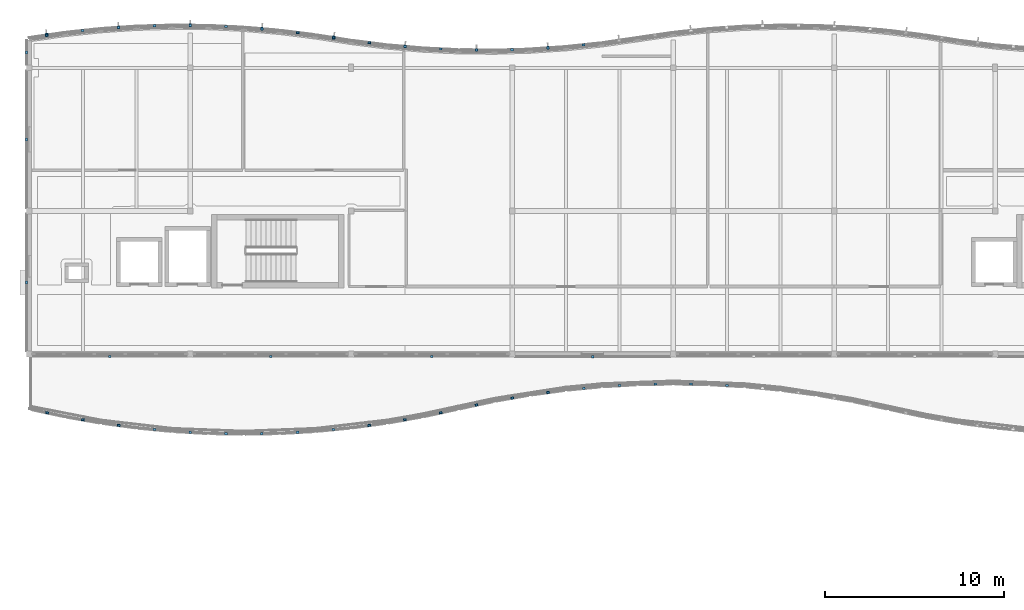
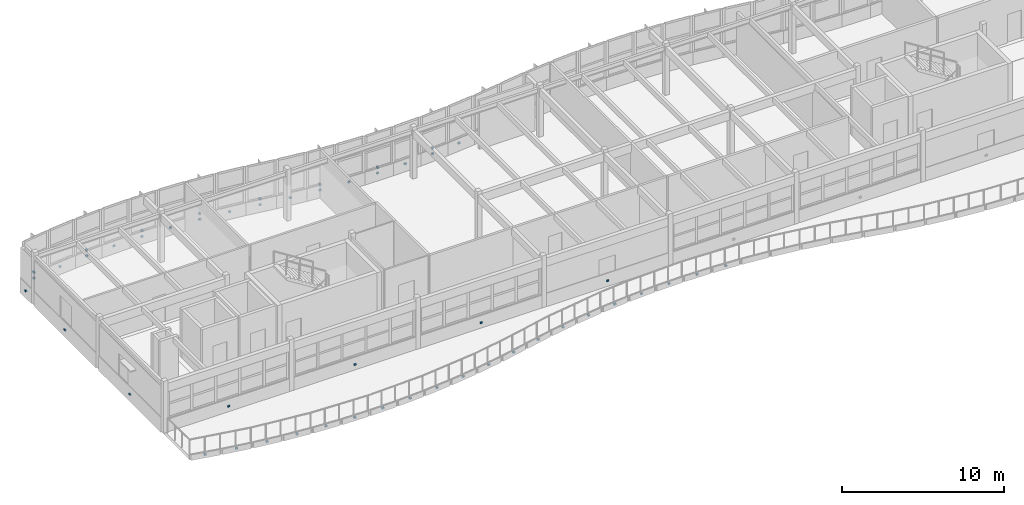
# One storey, part 24 of 33: 51 discrete accessories.
"""IFC4 building model written with IfcOpenShell, lengths in metres."""

from ifc_helpers import new_model, si_unit, direction, frame, origin, origin_2d, place, context, subcontext, project, spatial, rectangle, extrude, material, type_object, element, save


model = new_model("IFC4")

# Units and contexts
model_context = context("Model", 3, precision=1e-05, world=origin(), true_north=direction((0.0, 1.0)))
body_context = subcontext(model_context, "Body", "Model", "MODEL_VIEW")
ifc_project = project(units=[si_unit("LENGTHUNIT", "METRE"), si_unit("AREAUNIT", "SQUARE_METRE"), si_unit("VOLUMEUNIT", "CUBIC_METRE"), si_unit("PLANEANGLEUNIT", "RADIAN"), si_unit("MASSUNIT", "GRAM", prefix="KILO")], contexts=[model_context])

# Site, building, storey
site_placement = place(None, origin())
site = spatial("IfcSite", under=ifc_project, at=site_placement, CompositionType="ELEMENT")
building_placement = place(site_placement, origin())
building = spatial("IfcBuilding", under=site, at=building_placement, Name="Tonlespit Floodbar School", CompositionType="ELEMENT")
storey_placement = place(building_placement, frame((0.0, 0.0, 16.199951171875)))
storey = spatial("IfcBuildingStorey", under=building, at=storey_placement, Name="L04", CompositionType="ELEMENT", Elevation=16.199951171875)

# Discrete accessories
ifc_material = material(Name="Galvanised Steel", Category="steel")
discrete_accessory_type = type_object("IfcDiscreteAccessoryType", Name="Bracket_Facade_S355", PredefinedType="BRACKET", material=ifc_material)
discrete_accessory_1_placement = place(storey_placement, frame((44.981201171875, 121.824462890625, 0.35498046875), z_axis=(0.0, 0.0, 1.0), x_axis=(0.989537627347, 0.144275029245, 0.0)))
element("IfcDiscreteAccessory", 1, at=discrete_accessory_1_placement, inside=storey, type_object=discrete_accessory_type, Name="L04 white band support bracket 0297", PredefinedType="BRACKET", context=body_context, shape_type="SweptSolid", body=[
    extrude(rectangle(XDim=0.159912109375, YDim=0.1201171875, at=origin_2d()), origin(), (0.0, 0.0, 1.0), 0.1201171875),
])
discrete_accessory_2_placement = place(storey_placement, frame((44.979736328125, 121.834228515625, 0.7802734375), z_axis=(0.0, 0.0, 1.0), x_axis=(0.989537627347, 0.144275029245, 0.0)))
element("IfcDiscreteAccessory", 2, at=discrete_accessory_2_placement, inside=storey, type_object=discrete_accessory_type, Name="Solar fin support bracket 074", PredefinedType="BRACKET", context=body_context, shape_type="SweptSolid", body=[
    extrude(rectangle(XDim=0.1201171875, YDim=0.179931640625, at=origin_2d()), origin(), (0.0, 0.0, 1.0), 0.139892578125),
])
for number, where, z_axis, x_axis, name in (
    (3, (46.986328125, 122.0771484375, 0.35498046875), (0.0, 0.0, 1.0), (0.99439234017, 0.105753835922, 0.0), "L04 white band support bracket 0298"),
    (4, (48.9912109375, 122.25146484375, 0.35498046875), (0.0, 0.0, 1.0), (0.997729639049, 0.067346621018, 0.0), "L04 white band support bracket 0299"),
):
    element("IfcDiscreteAccessory", number, at=place(storey_placement, frame(where, z_axis=z_axis, x_axis=x_axis)), inside=storey, type_object=discrete_accessory_type, Name=name, PredefinedType="BRACKET", context=body_context, shape_type="SweptSolid", body=[
        extrude(rectangle(XDim=0.159912109375, YDim=0.1201171875, at=origin_2d()), origin(), (0.0, 0.0, 1.0), 0.1201171875),
    ])
discrete_accessory_3_placement = place(storey_placement, frame((48.990478515625, 122.261474609375, 0.7802734375), z_axis=(0.0, 0.0, 1.0), x_axis=(0.997729639049, 0.067346621018, 0.0)))
element("IfcDiscreteAccessory", 5, at=discrete_accessory_3_placement, inside=storey, type_object=discrete_accessory_type, Name="Solar fin support bracket 075", PredefinedType="BRACKET", context=body_context, shape_type="SweptSolid", body=[
    extrude(rectangle(XDim=0.1201171875, YDim=0.179931640625, at=origin_2d()), origin(), (0.0, 0.0, 1.0), 0.139892578125),
])
for number, where, z_axis, x_axis, name in (
    (6, (50.996337890625, 122.34814453125, 0.35498046875), (0.0, 0.0, 1.0), (0.999584110869, 0.02883756748, 0.0), "L04 white band support bracket 0300"),
    (7, (53.001220703125, 122.367431640625, 0.35498046875), (0.0, 0.0, 1.0), (0.999953926969, -0.009599163462, 0.0), "L04 white band support bracket 0301"),
):
    element("IfcDiscreteAccessory", number, at=place(storey_placement, frame(where, z_axis=z_axis, x_axis=x_axis)), inside=storey, type_object=discrete_accessory_type, Name=name, PredefinedType="BRACKET", context=body_context, shape_type="SweptSolid", body=[
        extrude(rectangle(XDim=0.159912109375, YDim=0.1201171875, at=origin_2d()), origin(), (0.0, 0.0, 1.0), 0.1201171875),
    ])
discrete_accessory_4_placement = place(storey_placement, frame((53.001220703125, 122.37744140625, 0.7802734375), z_axis=(0.0, 0.0, 1.0), x_axis=(0.999953926969, -0.009599163462, 0.0)))
element("IfcDiscreteAccessory", 8, at=discrete_accessory_4_placement, inside=storey, type_object=discrete_accessory_type, Name="Solar fin support bracket 076", PredefinedType="BRACKET", context=body_context, shape_type="SweptSolid", body=[
    extrude(rectangle(XDim=0.1201171875, YDim=0.179931640625, at=origin_2d()), origin(), (0.0, 0.0, 1.0), 0.139892578125),
])
for number, where, z_axis, x_axis, name in (
    (9, (55.00634765625, 122.3095703125, 0.35498046875), (0.0, 0.0, 1.0), (0.998842769234, -0.048094930587, 0.0), "L04 white band support bracket 0302"),
    (10, (57.01123046875, 122.174072265625, 0.35498046875), (0.0, 0.0, 1.0), (0.996245486492, -0.086573267488, 0.0), "L04 white band support bracket 0303"),
):
    element("IfcDiscreteAccessory", number, at=place(storey_placement, frame(where, z_axis=z_axis, x_axis=x_axis)), inside=storey, type_object=discrete_accessory_type, Name=name, PredefinedType="BRACKET", context=body_context, shape_type="SweptSolid", body=[
        extrude(rectangle(XDim=0.159912109375, YDim=0.1201171875, at=origin_2d()), origin(), (0.0, 0.0, 1.0), 0.1201171875),
    ])
discrete_accessory_5_placement = place(storey_placement, frame((57.01220703125, 122.18408203125, 0.7802734375), z_axis=(0.0, 0.0, 1.0), x_axis=(0.996245486492, -0.086573267488, 0.0)))
element("IfcDiscreteAccessory", 11, at=discrete_accessory_5_placement, inside=storey, type_object=discrete_accessory_type, Name="Solar fin support bracket 077", PredefinedType="BRACKET", context=body_context, shape_type="SweptSolid", body=[
    extrude(rectangle(XDim=0.1201171875, YDim=0.179931640625, at=origin_2d()), origin(), (0.0, 0.0, 1.0), 0.139892578125),
])
for number, where, z_axis, x_axis, name in (
    (12, (59.016357421875, 121.960693359375, 0.35498046875), (0.0, 0.0, 1.0), (0.99215533612, -0.125011155539, 0.0), "L04 white band support bracket 0304"),
    (13, (61.02001953125, 121.678466796875, 0.35498046875), (0.0, 0.0, 1.0), (0.988094768361, -0.153846445322, 0.0), "L04 white band support bracket 0305"),
):
    element("IfcDiscreteAccessory", number, at=place(storey_placement, frame(where, z_axis=z_axis, x_axis=x_axis)), inside=storey, type_object=discrete_accessory_type, Name=name, PredefinedType="BRACKET", context=body_context, shape_type="SweptSolid", body=[
        extrude(rectangle(XDim=0.159912109375, YDim=0.1201171875, at=origin_2d()), origin(), (0.0, 0.0, 1.0), 0.1201171875),
    ])
discrete_accessory_6_placement = place(storey_placement, frame((61.021484375, 121.688232421875, 0.7802734375), z_axis=(0.0, 0.0, 1.0), x_axis=(0.988094768361, -0.153846445322, 0.0)))
element("IfcDiscreteAccessory", 14, at=discrete_accessory_6_placement, inside=storey, type_object=discrete_accessory_type, Name="Solar fin support bracket 078", PredefinedType="BRACKET", context=body_context, shape_type="SweptSolid", body=[
    extrude(rectangle(XDim=0.1201171875, YDim=0.179931640625, at=origin_2d()), origin(), (0.0, 0.0, 1.0), 0.139892578125),
])
for number, where, z_axis, x_axis, name in (
    (15, (63.016357421875, 121.397216796875, 0.35498046875), (0.0, 0.0, 1.0), (0.99215533612, -0.125011155539, 0.0), "L04 white band support bracket 0306"),
    (16, (65.01123046875, 121.184814453125, 0.35498046875), (0.0, 0.0, 1.0), (0.996245486492, -0.086573267488, 0.0), "L04 white band support bracket 0307"),
):
    element("IfcDiscreteAccessory", number, at=place(storey_placement, frame(where, z_axis=z_axis, x_axis=x_axis)), inside=storey, type_object=discrete_accessory_type, Name=name, PredefinedType="BRACKET", context=body_context, shape_type="SweptSolid", body=[
        extrude(rectangle(XDim=0.159912109375, YDim=0.1201171875, at=origin_2d()), origin(), (0.0, 0.0, 1.0), 0.1201171875),
    ])
discrete_accessory_7_placement = place(storey_placement, frame((65.01220703125, 121.19482421875, 0.7802734375), z_axis=(0.0, 0.0, 1.0), x_axis=(0.996245486492, -0.086573267488, 0.0)))
element("IfcDiscreteAccessory", 17, at=discrete_accessory_7_placement, inside=storey, type_object=discrete_accessory_type, Name="Solar fin support bracket 079", PredefinedType="BRACKET", context=body_context, shape_type="SweptSolid", body=[
    extrude(rectangle(XDim=0.1201171875, YDim=0.179931640625, at=origin_2d()), origin(), (0.0, 0.0, 1.0), 0.139892578125),
])
for number, where, z_axis, x_axis, name in (
    (18, (67.00634765625, 121.05029296875, 0.35498046875), (0.0, 0.0, 1.0), (0.998842769234, -0.048094930587, 0.0), "L04 white band support bracket 0308"),
    (19, (69.001220703125, 120.99267578125, 0.35498046875), (0.0, 0.0, 1.0), (0.999953926969, -0.009599163462, 0.0), "L04 white band support bracket 0309"),
):
    element("IfcDiscreteAccessory", number, at=place(storey_placement, frame(where, z_axis=z_axis, x_axis=x_axis)), inside=storey, type_object=discrete_accessory_type, Name=name, PredefinedType="BRACKET", context=body_context, shape_type="SweptSolid", body=[
        extrude(rectangle(XDim=0.159912109375, YDim=0.1201171875, at=origin_2d()), origin(), (0.0, 0.0, 1.0), 0.1201171875),
    ])
discrete_accessory_8_placement = place(storey_placement, frame((69.001220703125, 121.002685546875, 0.7802734375), z_axis=(0.0, 0.0, 1.0), x_axis=(0.999953926969, -0.009599163462, 0.0)))
element("IfcDiscreteAccessory", 20, at=discrete_accessory_8_placement, inside=storey, type_object=discrete_accessory_type, Name="Solar fin support bracket 080", PredefinedType="BRACKET", context=body_context, shape_type="SweptSolid", body=[
    extrude(rectangle(XDim=0.1201171875, YDim=0.179931640625, at=origin_2d()), origin(), (0.0, 0.0, 1.0), 0.139892578125),
])
for number, where, z_axis, x_axis, name in (
    (21, (70.996337890625, 121.01171875, 0.35498046875), (0.0, 0.0, 1.0), (0.999584110869, 0.02883756748, 0.0), "L04 white band support bracket 0310"),
    (22, (72.9912109375, 121.10791015625, 0.35498046875), (0.0, 0.0, 1.0), (0.997729639049, 0.067346621018, 0.0), "L04 white band support bracket 0311"),
):
    element("IfcDiscreteAccessory", number, at=place(storey_placement, frame(where, z_axis=z_axis, x_axis=x_axis)), inside=storey, type_object=discrete_accessory_type, Name=name, PredefinedType="BRACKET", context=body_context, shape_type="SweptSolid", body=[
        extrude(rectangle(XDim=0.159912109375, YDim=0.1201171875, at=origin_2d()), origin(), (0.0, 0.0, 1.0), 0.1201171875),
    ])
discrete_accessory_9_placement = place(storey_placement, frame((72.990478515625, 121.117919921875, 0.7802734375), z_axis=(0.0, 0.0, 1.0), x_axis=(0.997729639049, 0.067346621018, 0.0)))
element("IfcDiscreteAccessory", 23, at=discrete_accessory_9_placement, inside=storey, type_object=discrete_accessory_type, Name="Solar fin support bracket 081", PredefinedType="BRACKET", context=body_context, shape_type="SweptSolid", body=[
    extrude(rectangle(XDim=0.1201171875, YDim=0.179931640625, at=origin_2d()), origin(), (0.0, 0.0, 1.0), 0.139892578125),
])
for number, where, z_axis, x_axis, name in (
    (24, (74.986328125, 121.28125, 0.35498046875), (0.0, 0.0, 1.0), (0.99439234017, 0.105753835922, 0.0), "L04 white band support bracket 0312"),
    (25, (75.5, 103.85009765625, 0.3798828125), (0.0, 0.0, 1.0), (-1.0, 0.0, 0.0), "L04 white band support bracket 0337"),
    (26, (66.5, 103.8701171875, 0.35498046875), (0.0, 0.0, 1.0), (-1.0, 0.0, 0.0), "L04 white band support bracket 0338"),
    (27, (57.5, 103.8701171875, 0.35498046875), (0.0, 0.0, 1.0), (-1.0, 0.0, 0.0), "L04 white band support bracket 0339"),
    (28, (48.5, 103.8701171875, 0.35498046875), (0.0, 0.0, 1.0), (-1.0, 0.0, 0.0), "L04 white band support bracket 0340"),
    (29, (43.85009765625, 108.0, 0.3798828125), (0.0, 0.0, 1.0), (0.0, 1.0, 0.0), "L04 white band support bracket 0341"),
    (30, (43.85009765625, 116.0, 0.3798828125), (0.0, 0.0, 1.0), (0.0, 1.0, 0.0), "L04 white band support bracket 0342"),
    (31, (43.85009765625, 120.85498046875, 0.3798828125), (0.0, 0.0, 1.0), (0.0, 1.0, 0.0), "L04 white band support bracket 0343"),
    (32, (45.0, 100.71337890625, -0.14990234375), (0.0, 0.0, 1.0), (0.977356843161, -0.21159773422, 0.0), "L04 white band support bracket 0344"),
    (33, (47.0, 100.3212890625, -0.14990234375), (0.0, 0.0, 1.0), (0.984904884962, -0.17309641122, 0.0), "L04 white band support bracket 0345"),
    (34, (49.0, 100.009765625, -0.14990234375), (0.0, 0.0, 1.0), (0.990898113281, -0.13461400037, 0.0), "L04 white band support bracket 0346"),
    (35, (51.0, 99.777099609375, -0.14990234375), (0.0, 0.0, 1.0), (0.995361841764, -0.096201891669, 0.0), "L04 white band support bracket 0347"),
    (36, (53.0, 99.622802734375, -0.14990234375), (0.0, 0.0, 1.0), (0.998333769428, -0.057703421212, 0.0), "L04 white band support bracket 0348"),
    (37, (55.0, 99.545654296875, -0.14990234375), (0.0, 0.0, 1.0), (0.999814772764, -0.01924630259, 0.0), "L04 white band support bracket 0349"),
    (38, (57.0, 99.545654296875, -0.14990234375), (0.0, 0.0, 1.0), (0.999814772764, 0.01924630259, 0.0), "L04 white band support bracket 0350"),
    (39, (59.0, 99.622802734375, -0.14990234375), (0.0, 0.0, 1.0), (0.998333769428, 0.057703421212, 0.0), "L04 white band support bracket 0351"),
    (40, (61.0, 99.777099609375, -0.14990234375), (0.0, 0.0, 1.0), (0.995361841764, 0.096201891669, 0.0), "L04 white band support bracket 0352"),
    (41, (63.0, 100.009765625, -0.14990234375), (0.0, 0.0, 1.0), (0.990898113281, 0.13461400037, 0.0), "L04 white band support bracket 0353"),
    (42, (65.0, 100.3212890625, -0.14990234375), (0.0, 0.0, 1.0), (0.984904884962, 0.17309641122, 0.0), "L04 white band support bracket 0354"),
    (43, (67.0, 100.71337890625, -0.14990234375), (0.0, 0.0, 1.0), (0.977356843161, 0.21159773422, 0.0), "L04 white band support bracket 0355"),
    (44, (69.0, 101.146484375, -0.14990234375), (0.0, 0.0, 1.0), (0.977356843161, 0.21159773422, 0.0), "L04 white band support bracket 0356"),
    (45, (71.0, 101.538818359375, -0.14990234375), (0.0, 0.0, 1.0), (0.984904884962, 0.17309641122, 0.0), "L04 white band support bracket 0357"),
    (46, (73.0, 101.850341796875, -0.14990234375), (0.0, 0.0, 1.0), (0.990898113281, 0.13461400037, 0.0), "L04 white band support bracket 0358"),
    (47, (75.0, 102.0830078125, -0.14990234375), (0.0, 0.0, 1.0), (0.995361841764, 0.096201891669, 0.0), "L04 white band support bracket 0359"),
    (48, (77.0, 102.2373046875, -0.14990234375), (0.0, 0.0, 1.0), (0.998333769428, 0.057703421212, 0.0), "L04 white band support bracket 0360"),
    (49, (79.0, 102.314453125, -0.14990234375), (0.0, 0.0, 1.0), (0.999814772764, 0.01924630259, 0.0), "L04 white band support bracket 0361"),
    (50, (81.0, 102.314453125, -0.14990234375), (0.0, 0.0, 1.0), (0.999814772764, -0.01924630259, 0.0), "L04 white band support bracket 0362"),
    (51, (83.0, 102.2373046875, -0.14990234375), (0.0, 0.0, 1.0), (0.998333769428, -0.057703421212, 0.0), "L04 white band support bracket 0363"),
):
    element("IfcDiscreteAccessory", number, at=place(storey_placement, frame(where, z_axis=z_axis, x_axis=x_axis)), inside=storey, type_object=discrete_accessory_type, Name=name, PredefinedType="BRACKET", context=body_context, shape_type="SweptSolid", body=[
        extrude(rectangle(XDim=0.159912109375, YDim=0.1201171875, at=origin_2d()), origin(), (0.0, 0.0, 1.0), 0.1201171875),
    ])

save(model, "model.ifc")
